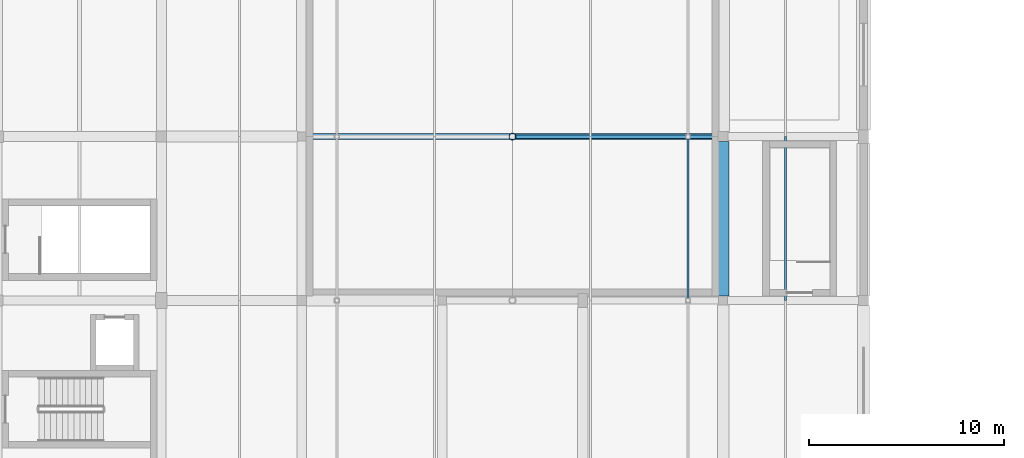
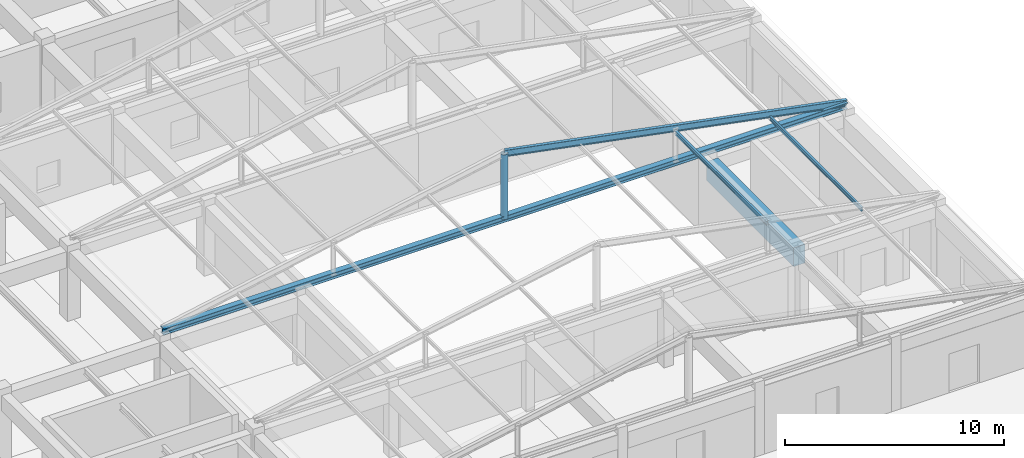
# One storey, part 41 of 74: 5 members, 1 beam.
"""IFC4 building model written with IfcOpenShell, lengths in metres."""

from ifc_helpers import new_model, si_unit, direction, frame, origin, origin_2d, place, context, subcontext, project, spatial, rectangle, hollow_circle, i_section, extrude, material, material_profile, profile_set, type_object, element, save


model = new_model("IFC4")

# Units and contexts
model_context = context("Model", 3, precision=1e-05, world=origin(), true_north=direction((0.0, 1.0)))
body_context = subcontext(model_context, "Body", "Model", "MODEL_VIEW")
ifc_project = project(units=[si_unit("LENGTHUNIT", "METRE"), si_unit("AREAUNIT", "SQUARE_METRE"), si_unit("VOLUMEUNIT", "CUBIC_METRE"), si_unit("PLANEANGLEUNIT", "RADIAN"), si_unit("MASSUNIT", "GRAM", prefix="KILO")], contexts=[model_context])

# Site, building, storey
site_placement = place(None, origin())
site = spatial("IfcSite", under=ifc_project, at=site_placement, CompositionType="ELEMENT")
building_placement = place(site_placement, origin())
building = spatial("IfcBuilding", under=site, at=building_placement, Name="Korsvaeld Concert Hall", CompositionType="ELEMENT")
storey_placement = place(building_placement, frame((0.0, 0.0, 9.0)))
storey = spatial("IfcBuildingStorey", under=building, at=storey_placement, Name="L02", CompositionType="ELEMENT", Elevation=9.0)

# Beam
ifc_material_1 = material(Name="Concrete C40/50", Category="concrete")
ifc_material_profile_1 = material_profile(ifc_material_1, rectangle(XDim=0.60009765625, YDim=1.050048828125, at=origin_2d()), Name="RC 600x1050")
ifc_profile_set_1 = profile_set([ifc_material_profile_1], Name="Concrete C40/50")
beam_type = type_object("IfcBeamType", Name="BM-RC-600x1050", PredefinedType="T_BEAM", material=ifc_profile_set_1)
beam_placement = place(storey_placement, frame((146.39990234375, 51.824951171875, 3.31494140625), z_axis=(0.0, 1.0, 0.0), x_axis=(-1.0, 0.0, 0.0)))
element("IfcBeam", 1, at=beam_placement, inside=storey, type_object=beam_type, Name="Primary girder 20/H-J L02", PredefinedType="T_BEAM", context=body_context, shape_type="SweptSolid", body=[
    extrude(rectangle(XDim=0.60009765625, YDim=1.050048828125, at=origin_2d()), origin(), (0.0, 0.0, 1.0), 7.925048828125),
])

# Members
ifc_material_2 = material(Name="Steel S355J2", Category="steel")
ifc_material_profile_2 = material_profile(ifc_material_2, i_section(OverallWidth=0.300048828125, OverallDepth=0.340087890625, WebThickness=0.011962890625, FlangeThickness=0.021484375, FilletRadius=0.027099609375, at=origin_2d()), Name="HEB 340")
ifc_profile_set_2 = profile_set([ifc_material_profile_2], Name="Steel S355J2")
member_type_1 = type_object("IfcMemberType", Name="MEM-CHD-HEB340", PredefinedType="CHORD", material=ifc_profile_set_2)
member_1_placement = place(storey_placement, frame((117.60009765625, 60.0, 4.25), z_axis=(1.0, 0.0, 0.0), x_axis=(0.0, 1.0, 0.0)))
element("IfcMember", 2, at=member_1_placement, inside=storey, type_object=member_type_1, Name="Chamber Hall truss bottom chord 3", PredefinedType="CHORD", context=body_context, shape_type="SweptSolid", body=[
    extrude(i_section(OverallWidth=0.300048828125, OverallDepth=0.340087890625, WebThickness=0.011962890625, FlangeThickness=0.021484375, FilletRadius=0.027099609375, at=origin_2d()), origin(), (0.0, 0.0, 1.0), 36.0),
])
ifc_material_profile_3 = material_profile(ifc_material_2, i_section(OverallWidth=0.110107421875, OverallDepth=0.219970703125, WebThickness=0.005859375, FlangeThickness=0.00927734375, FilletRadius=0.011962890625, at=origin_2d()), Name="IPE 220")
ifc_profile_set_3 = profile_set([ifc_material_profile_3], Name="Steel S355J2")
member_type_2 = type_object("IfcMemberType", Name="MEM-PUR-IPE220", PredefinedType="PURLIN", material=ifc_profile_set_3)
for number, where, z_axis, x_axis, name in (
    (3, (144.60009765625, 51.60009765625, 5.8798828125), (0.0, 1.0, 0.0), (-1.0, 0.0, 0.0), "Chamber Hall roof purlin 144.2"),
    (4, (149.60009765625, 51.60009765625, 4.89990234375), (0.0, 1.0, 0.0), (-1.0, 0.0, 0.0), "Chamber Hall roof purlin 149.2"),
):
    element("IfcMember", number, at=place(storey_placement, frame(where, z_axis=z_axis, x_axis=x_axis)), inside=storey, type_object=member_type_2, Name=name, PredefinedType="PURLIN", context=body_context, shape_type="SweptSolid", body=[
        extrude(i_section(OverallWidth=0.110107421875, OverallDepth=0.219970703125, WebThickness=0.005859375, FlangeThickness=0.00927734375, FilletRadius=0.011962890625, at=origin_2d()), origin(), (0.0, 0.0, 1.0), 8.39990234375),
    ])
ifc_material_profile_4 = material_profile(ifc_material_2, i_section(OverallWidth=0.169921875, OverallDepth=0.360107421875, WebThickness=0.008056640625, FlangeThickness=0.0126953125, FilletRadius=0.01806640625, at=origin_2d()), Name="IPE 360")
ifc_profile_set_4 = profile_set([ifc_material_profile_4], Name="Steel S355J2")
member_type_3 = type_object("IfcMemberType", Name="MEM-RAF-IPE360", PredefinedType="RAFTER", material=ifc_profile_set_4)
member_2_placement = place(storey_placement, frame((153.60009765625, 60.0, 4.35009765625), z_axis=(-0.981615389669, 0.0, 0.190869659102), x_axis=(0.0, -1.0, 0.0)))
element("IfcMember", 5, at=member_2_placement, inside=storey, type_object=member_type_3, Name="Chamber Hall east pitched rafter 3", PredefinedType="RAFTER", context=body_context, shape_type="SweptSolid", body=[
    extrude(i_section(OverallWidth=0.169921875, OverallDepth=0.360107421875, WebThickness=0.008056640625, FlangeThickness=0.0126953125, FilletRadius=0.01806640625, at=origin_2d()), origin(), (0.0, 0.0, 1.0), 18.337158203125),
])
ifc_material_profile_5 = material_profile(ifc_material_2, hollow_circle(Radius=0.177734375, WallThickness=0.01611328125, at=origin_2d()), Name="CHS 355.6x16")
ifc_profile_set_5 = profile_set([ifc_material_profile_5], Name="Steel S355J2")
member_type_4 = type_object("IfcMemberType", Name="MEM-STR-CHS355", PredefinedType="STRUT", material=ifc_profile_set_5)
member_3_placement = place(storey_placement, frame((135.60009765625, 60.0, 4.25), z_axis=(0.0, 0.0, 1.0), x_axis=(1.0, 0.0, 0.0)))
element("IfcMember", 6, at=member_3_placement, inside=storey, type_object=member_type_4, Name="Chamber Hall truss web 3.135", PredefinedType="STRUT", context=body_context, shape_type="SweptSolid", body=[
    extrude(hollow_circle(Radius=0.177734375, WallThickness=0.01611328125, at=origin_2d()), origin(), (0.0, 0.0, 1.0), 3.60009765625),
])

save(model, "model.ifc")
